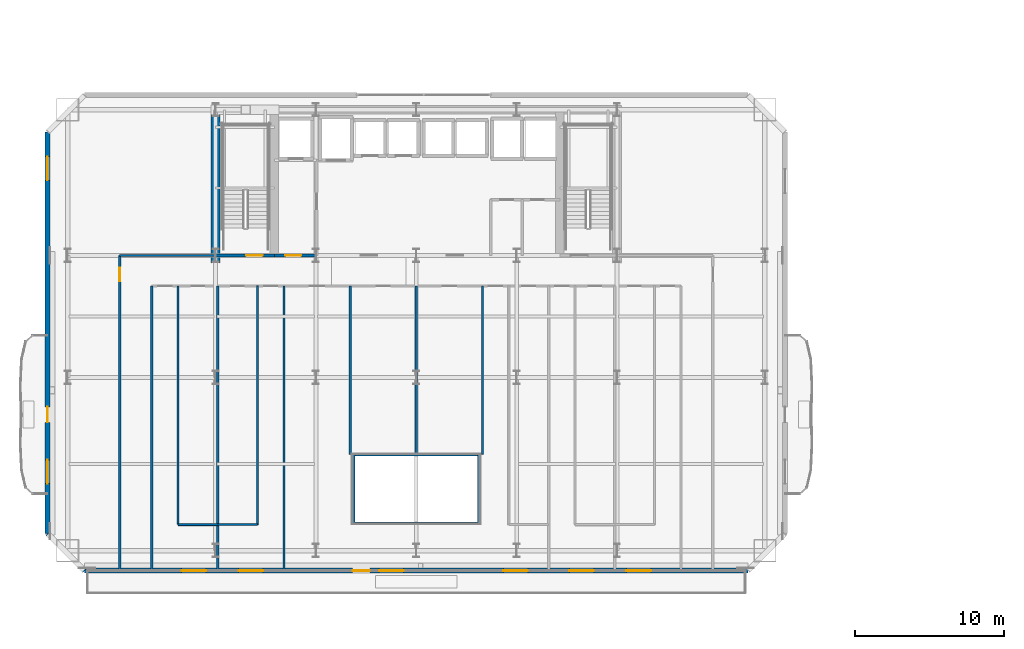
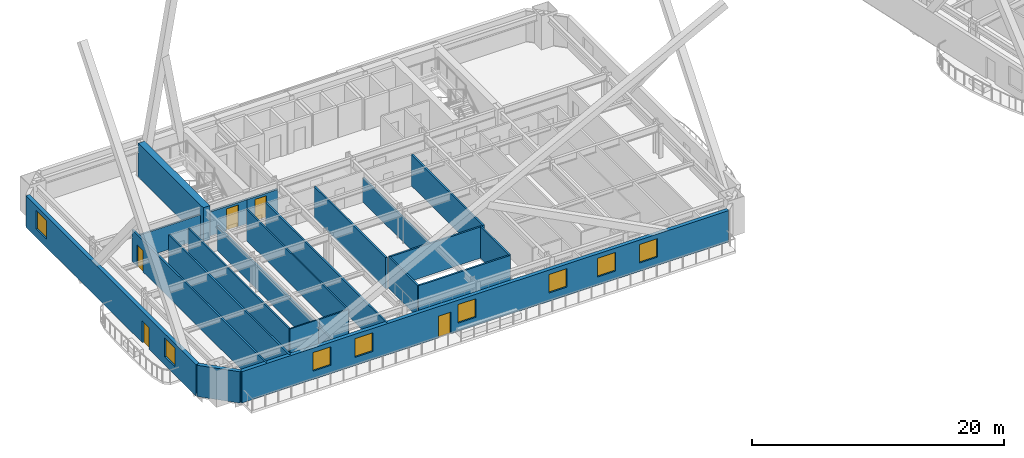
# One storey, part 10 of 22: 22 walls, 8 windows, 5 doors, 13 openings.
"""IFC4 building model written with IfcOpenShell, lengths in metres."""

from ifc_helpers import new_model, si_unit, direction, frame, frame_2d, origin, place, context, subcontext, project, spatial, rectangle, extrude, material, layer, layer_set, type_object, element, fill, save


model = new_model("IFC4")

# Units and contexts
model_context = context("Model", 3, precision=1e-05, world=origin(), true_north=direction((0.0, 1.0)))
body_context = subcontext(model_context, "Body", "Model", "MODEL_VIEW")
ifc_project = project(units=[si_unit("LENGTHUNIT", "METRE"), si_unit("AREAUNIT", "SQUARE_METRE"), si_unit("VOLUMEUNIT", "CUBIC_METRE"), si_unit("PLANEANGLEUNIT", "RADIAN"), si_unit("MASSUNIT", "GRAM", prefix="KILO")], contexts=[model_context])

# Site, building, storey
site_placement = place(None, origin())
site = spatial("IfcSite", under=ifc_project, at=site_placement, CompositionType="ELEMENT")
building_placement = place(site_placement, origin())
building = spatial("IfcBuilding", under=site, at=building_placement, Name="Haevon Station Towers", CompositionType="ELEMENT")
storey_placement = place(building_placement, frame((0.0, 0.0, 70.199951171875)))
storey = spatial("IfcBuildingStorey", under=building, at=storey_placement, Name="L18", CompositionType="ELEMENT", Elevation=70.199951171875)

# Wall, opening, door
ifc_material_1 = material(Name="Gypsum board on steel stud", Category="steel")
ifc_layer_1 = layer(ifc_material_1, 0.199951171875)
ifc_layer_set_1 = layer_set([ifc_layer_1], Name="Gypsum board on steel stud")
wall_type_1 = type_object("IfcWallType", Name="WL-COR200", PredefinedType="PARTITIONING", material=ifc_layer_set_1)
wall_1_placement = place(storey_placement, frame((24.0, 38.199951171875, 0.0), z_axis=(0.0, 0.0, 1.0), x_axis=(1.0, 0.0, 0.0)))
wall_1 = element("IfcWall", 1, at=wall_1_placement, inside=storey, type_object=wall_type_1, Name="WL-ST-ST1-L18", PredefinedType="PARTITIONING", context=body_context, shape_type="SweptSolid", body=[
    extrude(rectangle(XDim=3.949951171875, YDim=0.199951171875, at=frame_2d((1.97509765625, 0.0))), origin(), (0.0, 0.0, 1.0), 2.330078125),
])
opening_1_placement = place(wall_1_placement, frame((2.050048828125, 0.0, 0.0)))
opening_1 = element("IfcOpeningElement", 2, at=opening_1_placement, cuts=wall_1, Name="Opening DR-ST-ST1-L18", PredefinedType="OPENING", context=body_context, shape_type="SweptSolid", body=[
    extrude(rectangle(XDim=1.1201171875, YDim=2.10009765625, at=frame_2d((0.56005859375, 1.050048828125))), frame((0.0, 0.10986328125, 0.0), z_axis=(0.0, -1.0, 0.0), x_axis=(1.0, 0.0, 0.0)), (0.0, 0.0, 1.0), 0.219970703125),
])
ifc_material_2 = material(Name="Engineered oak timber", Category="wood")
door_type_1 = type_object("IfcDoorType", Name="DR-ST-1120", OperationType="NOTDEFINED", PredefinedType="DOOR", material=ifc_material_2)
door_1_placement = place(opening_1_placement, origin())
door_1 = element("IfcDoor", 3, at=door_1_placement, inside=storey, type_object=door_type_1, Name="L18 Escape Stair ST1 Fire Door", OperationType="SINGLE_SWING_RIGHT", OverallHeight=2.10009765625, OverallWidth=1.1201171875, PredefinedType="DOOR", context=body_context, shape_type="SweptSolid", body=[
    extrude(rectangle(XDim=1.1201171875, YDim=2.10009765625, at=frame_2d((0.56005859375, 1.050048828125))), frame((0.0, 0.02490234375, 0.0), z_axis=(0.0, -1.0, 0.0), x_axis=(1.0, 0.0, 0.0)), (0.0, 0.0, 1.0), 0.050048828125),
])
fill(opening_1, door_1)

wall_2_placement = place(storey_placement, frame((27.949951171875, 38.199951171875, 0.0), z_axis=(0.0, 0.0, 1.0), x_axis=(1.0, 0.0, 0.0)))
wall_2 = element("IfcWall", 4, at=wall_2_placement, inside=storey, type_object=wall_type_1, Name="WL-T1FFL-L18-S", PredefinedType="PARTITIONING", context=body_context, shape_type="SweptSolid", body=[
    extrude(rectangle(XDim=2.85009765625, YDim=0.199951171875, at=frame_2d((1.425048828125, 0.0))), origin(), (0.0, 0.0, 1.0), 2.330078125),
])
opening_2_placement = place(wall_2_placement, frame((0.75, 0.0, 0.0)))
opening_2 = element("IfcOpeningElement", 5, at=opening_2_placement, cuts=wall_2, Name="Opening DR-T1FFL-L18-S", PredefinedType="OPENING", context=body_context, shape_type="SweptSolid", body=[
    extrude(rectangle(XDim=1.050048828125, YDim=2.10009765625, at=frame_2d((0.52490234375, 1.050048828125))), frame((0.0, 0.10986328125, 0.0), z_axis=(0.0, -1.0, 0.0), x_axis=(1.0, 0.0, 0.0)), (0.0, 0.0, 1.0), 0.219970703125),
])
door_type_2 = type_object("IfcDoorType", Name="DR-FD60-1050", OperationType="NOTDEFINED", PredefinedType="DOOR", material=ifc_material_2)
door_2_placement = place(opening_2_placement, origin())
door_2 = element("IfcDoor", 6, at=door_2_placement, inside=storey, type_object=door_type_2, Name="L18 Tower 1 Firefighting Lift Lobby Door S", OperationType="SINGLE_SWING_LEFT", OverallHeight=2.10009765625, OverallWidth=1.050048828125, PredefinedType="DOOR", context=body_context, shape_type="SweptSolid", body=[
    extrude(rectangle(XDim=1.050048828125, YDim=2.10009765625, at=frame_2d((0.52490234375, 1.050048828125))), frame((0.0, 0.02490234375, 0.0), z_axis=(0.0, -1.0, 0.0), x_axis=(1.0, 0.0, 0.0)), (0.0, 0.0, 1.0), 0.050048828125),
])
fill(opening_2, door_2)

# Wall
ifc_material_3 = material(Name="Concrete C60/75", Category="concrete")
ifc_layer_2 = layer(ifc_material_3, 0.60009765625)
ifc_layer_set_2 = layer_set([ifc_layer_2], Name="Concrete C60/75")
wall_type_2 = type_object("IfcWallType", Name="WL-CR600", PredefinedType="SHEAR", material=ifc_layer_set_2)
wall_3_placement = place(storey_placement, frame((24.0, 37.679931640625, 0.0), z_axis=(0.0, 0.0, 1.0), x_axis=(0.0, 1.0, 0.0)))
element("IfcWall", 7, at=wall_3_placement, inside=storey, type_object=wall_type_2, Name="WL-T1CR-L18-W", PredefinedType="SHEAR", context=body_context, shape_type="SweptSolid", body=[
    extrude(rectangle(XDim=10.320068359375, YDim=0.60009765625, at=frame_2d((5.16015625, 0.0))), origin(), (0.0, 0.0, 1.0), 3.300048828125),
])

# Wall, openings, door, windows
ifc_material_4 = material(Name="Precast concrete C45/55", Category="concrete")
ifc_layer_3 = layer(ifc_material_4, 0.340087890625)
ifc_layer_set_3 = layer_set([ifc_layer_3], Name="Precast concrete C45/55")
wall_type_3 = type_object("IfcWallType", Name="WL-EXT-PIER340", PredefinedType="SOLIDWALL", material=ifc_layer_set_3)
wall_4_placement = place(storey_placement, frame((59.800048828125, 17.0, 0.0), z_axis=(0.0, 0.0, 1.0), x_axis=(-1.0, 0.0, 0.0)))
wall_4 = element("IfcWall", 8, at=wall_4_placement, inside=storey, type_object=wall_type_3, Name="WL-T1-L18-S", PredefinedType="SOLIDWALL", context=body_context, shape_type="SweptSolid", body=[
    extrude(rectangle(XDim=44.60009765625, YDim=0.340087890625, at=frame_2d((22.300048828125, 0.0))), origin(), (0.0, 0.0, 1.0), 3.030029296875),
])
opening_3_placement = place(wall_4_placement, frame((25.425048828125, 0.0, 0.0)))
opening_3 = element("IfcOpeningElement", 9, at=opening_3_placement, cuts=wall_4, Name="Opening DR-T1-SKYG-L18", PredefinedType="OPENING", context=body_context, shape_type="SweptSolid", body=[
    extrude(rectangle(XDim=1.14990234375, YDim=2.10009765625, at=frame_2d((0.574951171875, 1.050048828125))), frame((0.0, 0.179931640625, 0.0), z_axis=(0.0, -1.0, 0.0), x_axis=(1.0, 0.0, 0.0)), (0.0, 0.0, 1.0), 0.360107421875),
])
opening_4_placement = place(wall_4_placement, frame((36.43798828125, 0.0, 0.800048828125)))
opening_4 = element("IfcOpeningElement", 10, at=opening_4_placement, cuts=wall_4, Name="Opening WN-P165", PredefinedType="OPENING", context=body_context, shape_type="SweptSolid", body=[
    extrude(rectangle(XDim=1.64990234375, YDim=1.800048828125, at=frame_2d((0.824951171875, 0.89990234375))), frame((0.0, 0.179931640625, 0.0), z_axis=(0.0, -1.0, 0.0), x_axis=(1.0, 0.0, 0.0)), (0.0, 0.0, 1.0), 0.360107421875),
])
opening_5_placement = place(wall_4_placement, frame((32.60009765625, 0.0, 0.800048828125)))
opening_5 = element("IfcOpeningElement", 11, at=opening_5_placement, cuts=wall_4, Name="Opening WN-P165", PredefinedType="OPENING", context=body_context, shape_type="SweptSolid", body=[
    extrude(rectangle(XDim=1.64990234375, YDim=1.800048828125, at=frame_2d((0.824951171875, 0.89990234375))), frame((0.0, 0.179931640625, 0.0), z_axis=(0.0, -1.0, 0.0), x_axis=(1.0, 0.0, 0.0)), (0.0, 0.0, 1.0), 0.360107421875),
])
opening_6_placement = place(wall_4_placement, frame((23.153076171875, 0.0, 0.800048828125)))
opening_6 = element("IfcOpeningElement", 12, at=opening_6_placement, cuts=wall_4, Name="Opening WN-P165", PredefinedType="OPENING", context=body_context, shape_type="SweptSolid", body=[
    extrude(rectangle(XDim=1.64990234375, YDim=1.800048828125, at=frame_2d((0.824951171875, 0.89990234375))), frame((0.0, 0.179931640625, 0.0), z_axis=(0.0, -1.0, 0.0), x_axis=(1.0, 0.0, 0.0)), (0.0, 0.0, 1.0), 0.360107421875),
])
opening_7_placement = place(wall_4_placement, frame((14.800048828125, 0.0, 0.800048828125)))
opening_7 = element("IfcOpeningElement", 13, at=opening_7_placement, cuts=wall_4, Name="Opening WN-P165", PredefinedType="OPENING", context=body_context, shape_type="SweptSolid", body=[
    extrude(rectangle(XDim=1.64990234375, YDim=1.800048828125, at=frame_2d((0.824951171875, 0.89990234375))), frame((0.0, 0.179931640625, 0.0), z_axis=(0.0, -1.0, 0.0), x_axis=(1.0, 0.0, 0.0)), (0.0, 0.0, 1.0), 0.360107421875),
])
opening_8_placement = place(wall_4_placement, frame((10.35009765625, 0.0, 0.800048828125)))
opening_8 = element("IfcOpeningElement", 14, at=opening_8_placement, cuts=wall_4, Name="Opening WN-P165", PredefinedType="OPENING", context=body_context, shape_type="SweptSolid", body=[
    extrude(rectangle(XDim=1.64990234375, YDim=1.800048828125, at=frame_2d((0.824951171875, 0.89990234375))), frame((0.0, 0.179931640625, 0.0), z_axis=(0.0, -1.0, 0.0), x_axis=(1.0, 0.0, 0.0)), (0.0, 0.0, 1.0), 0.360107421875),
])
opening_9_placement = place(wall_4_placement, frame((6.511962890625, 0.0, 0.800048828125)))
opening_9 = element("IfcOpeningElement", 15, at=opening_9_placement, cuts=wall_4, Name="Opening WN-P165", PredefinedType="OPENING", context=body_context, shape_type="SweptSolid", body=[
    extrude(rectangle(XDim=1.64990234375, YDim=1.800048828125, at=frame_2d((0.824951171875, 0.89990234375))), frame((0.0, 0.179931640625, 0.0), z_axis=(0.0, -1.0, 0.0), x_axis=(1.0, 0.0, 0.0)), (0.0, 0.0, 1.0), 0.360107421875),
])
ifc_material_5 = material(Name="Thermally broken anodised aluminium and laminated safety glass", Category="aluminium")
door_type_3 = type_object("IfcDoorType", Name="DR-BALC-1150", OperationType="NOTDEFINED", PredefinedType="DOOR", material=ifc_material_5)
door_3_placement = place(opening_3_placement, origin())
door_3 = element("IfcDoor", 16, at=door_3_placement, inside=storey, type_object=door_type_3, Name="Tower 1 L18 Sky Garden Terrace Door", OperationType="SINGLE_SWING_LEFT", OverallHeight=2.10009765625, OverallWidth=1.14990234375, PredefinedType="DOOR", context=body_context, shape_type="SweptSolid", body=[
    extrude(rectangle(XDim=1.14990234375, YDim=2.10009765625, at=frame_2d((0.574951171875, 1.050048828125))), frame((0.0, 0.02490234375, 0.0), z_axis=(0.0, -1.0, 0.0), x_axis=(1.0, 0.0, 0.0)), (0.0, 0.0, 1.0), 0.050048828125),
])
fill(opening_3, door_3)
ifc_material_6 = material(Name="Low-E triple glazing in thermally broken aluminium", Category="aluminium")
window_type_1 = type_object("IfcWindowType", Name="WN-P165", PartitioningType="SINGLE_PANEL", PredefinedType="WINDOW", material=ifc_material_6)
window_1_placement = place(opening_4_placement, origin())
window_1 = element("IfcWindow", 17, at=window_1_placement, inside=storey, type_object=window_type_1, Name="WN-T1-L18-S01", OverallHeight=1.800048828125, OverallWidth=1.64990234375, PartitioningType="SINGLE_PANEL", PredefinedType="WINDOW", context=body_context, shape_type="SweptSolid", body=[
    extrude(rectangle(XDim=1.64990234375, YDim=1.800048828125, at=frame_2d((0.824951171875, 0.89990234375))), frame((0.0, 0.030029296875, 0.0), z_axis=(0.0, -1.0, 0.0), x_axis=(1.0, 0.0, 0.0)), (0.0, 0.0, 1.0), 0.06005859375),
])
fill(opening_4, window_1)
window_2_placement = place(opening_5_placement, origin())
window_2 = element("IfcWindow", 18, at=window_2_placement, inside=storey, type_object=window_type_1, Name="WN-T1-L18-S02", OverallHeight=1.800048828125, OverallWidth=1.64990234375, PartitioningType="SINGLE_PANEL", PredefinedType="WINDOW", context=body_context, shape_type="SweptSolid", body=[
    extrude(rectangle(XDim=1.64990234375, YDim=1.800048828125, at=frame_2d((0.824951171875, 0.89990234375))), frame((0.0, 0.030029296875, 0.0), z_axis=(0.0, -1.0, 0.0), x_axis=(1.0, 0.0, 0.0)), (0.0, 0.0, 1.0), 0.06005859375),
])
fill(opening_5, window_2)
window_3_placement = place(opening_6_placement, origin())
window_3 = element("IfcWindow", 19, at=window_3_placement, inside=storey, type_object=window_type_1, Name="WN-T1-L18-S03", OverallHeight=1.800048828125, OverallWidth=1.64990234375, PartitioningType="SINGLE_PANEL", PredefinedType="WINDOW", context=body_context, shape_type="SweptSolid", body=[
    extrude(rectangle(XDim=1.64990234375, YDim=1.800048828125, at=frame_2d((0.824951171875, 0.89990234375))), frame((0.0, 0.030029296875, 0.0), z_axis=(0.0, -1.0, 0.0), x_axis=(1.0, 0.0, 0.0)), (0.0, 0.0, 1.0), 0.06005859375),
])
fill(opening_6, window_3)
window_4_placement = place(opening_7_placement, origin())
window_4 = element("IfcWindow", 20, at=window_4_placement, inside=storey, type_object=window_type_1, Name="WN-T1-L18-S04", OverallHeight=1.800048828125, OverallWidth=1.64990234375, PartitioningType="SINGLE_PANEL", PredefinedType="WINDOW", context=body_context, shape_type="SweptSolid", body=[
    extrude(rectangle(XDim=1.64990234375, YDim=1.800048828125, at=frame_2d((0.824951171875, 0.89990234375))), frame((0.0, 0.030029296875, 0.0), z_axis=(0.0, -1.0, 0.0), x_axis=(1.0, 0.0, 0.0)), (0.0, 0.0, 1.0), 0.06005859375),
])
fill(opening_7, window_4)
window_5_placement = place(opening_8_placement, origin())
window_5 = element("IfcWindow", 21, at=window_5_placement, inside=storey, type_object=window_type_1, Name="WN-T1-L18-S05", OverallHeight=1.800048828125, OverallWidth=1.64990234375, PartitioningType="SINGLE_PANEL", PredefinedType="WINDOW", context=body_context, shape_type="SweptSolid", body=[
    extrude(rectangle(XDim=1.64990234375, YDim=1.800048828125, at=frame_2d((0.824951171875, 0.89990234375))), frame((0.0, 0.030029296875, 0.0), z_axis=(0.0, -1.0, 0.0), x_axis=(1.0, 0.0, 0.0)), (0.0, 0.0, 1.0), 0.06005859375),
])
fill(opening_8, window_5)
window_6_placement = place(opening_9_placement, origin())
window_6 = element("IfcWindow", 22, at=window_6_placement, inside=storey, type_object=window_type_1, Name="WN-T1-L18-S06", OverallHeight=1.800048828125, OverallWidth=1.64990234375, PartitioningType="SINGLE_PANEL", PredefinedType="WINDOW", context=body_context, shape_type="SweptSolid", body=[
    extrude(rectangle(XDim=1.64990234375, YDim=1.800048828125, at=frame_2d((0.824951171875, 0.89990234375))), frame((0.0, 0.030029296875, 0.0), z_axis=(0.0, -1.0, 0.0), x_axis=(1.0, 0.0, 0.0)), (0.0, 0.0, 1.0), 0.06005859375),
])
fill(opening_9, window_6)

# Wall
wall_5_placement = place(storey_placement, frame((15.199951171875, 17.0, 0.0), z_axis=(0.0, 0.0, 1.0), x_axis=(-0.707106781187, 0.707106781187, 0.0)))
element("IfcWall", 23, at=wall_5_placement, inside=storey, type_object=wall_type_3, Name="WL-T1-L18-SWC", PredefinedType="SOLIDWALL", context=body_context, shape_type="SweptSolid", body=[
    extrude(rectangle(XDim=3.53564453125, YDim=0.340087890625, at=frame_2d((1.767822265625, 0.0))), origin(), (0.0, 0.0, 1.0), 3.030029296875),
])

# Wall, openings, door, windows
wall_6_placement = place(storey_placement, frame((12.699951171875, 19.5, 0.0), z_axis=(0.0, 0.0, 1.0), x_axis=(0.0, 1.0, 0.0)))
wall_6 = element("IfcWall", 24, at=wall_6_placement, inside=storey, type_object=wall_type_3, Name="WL-T1-L18-W", PredefinedType="SOLIDWALL", context=body_context, shape_type="SweptSolid", body=[
    extrude(rectangle(XDim=27.0, YDim=0.340087890625, at=frame_2d((13.5, 0.0))), origin(), (0.0, 0.0, 1.0), 3.030029296875),
])
opening_10_placement = place(wall_6_placement, frame((7.47509765625, 0.0, 0.0)))
opening_10 = element("IfcOpeningElement", 25, at=opening_10_placement, cuts=wall_6, Name="Opening DR-T1-SCAL-L18-W", PredefinedType="OPENING", context=body_context, shape_type="SweptSolid", body=[
    extrude(rectangle(XDim=1.050048828125, YDim=2.10009765625, at=frame_2d((0.52490234375, 1.050048828125))), frame((0.0, 0.179931640625, 0.0), z_axis=(0.0, -1.0, 0.0), x_axis=(1.0, 0.0, 0.0)), (0.0, 0.0, 1.0), 0.360107421875),
])
opening_11_placement = place(wall_6_placement, frame((3.35009765625, 0.0, 0.800048828125)))
opening_11 = element("IfcOpeningElement", 26, at=opening_11_placement, cuts=wall_6, Name="Opening WN-END160", PredefinedType="OPENING", context=body_context, shape_type="SweptSolid", body=[
    extrude(rectangle(XDim=1.60009765625, YDim=1.800048828125, at=frame_2d((0.800048828125, 0.89990234375))), frame((0.0, 0.179931640625, 0.0), z_axis=(0.0, -1.0, 0.0), x_axis=(1.0, 0.0, 0.0)), (0.0, 0.0, 1.0), 0.360107421875),
])
opening_12_placement = place(wall_6_placement, frame((23.75, 0.0, 0.800048828125)))
opening_12 = element("IfcOpeningElement", 27, at=opening_12_placement, cuts=wall_6, Name="Opening WN-END160", PredefinedType="OPENING", context=body_context, shape_type="SweptSolid", body=[
    extrude(rectangle(XDim=1.60009765625, YDim=1.800048828125, at=frame_2d((0.800048828125, 0.89990234375))), frame((0.0, 0.179931640625, 0.0), z_axis=(0.0, -1.0, 0.0), x_axis=(1.0, 0.0, 0.0)), (0.0, 0.0, 1.0), 0.360107421875),
])
door_type_4 = type_object("IfcDoorType", Name="DR-BALC-1050", OperationType="NOTDEFINED", PredefinedType="DOOR", material=ifc_material_5)
door_4_placement = place(opening_10_placement, origin())
door_4 = element("IfcDoor", 28, at=door_4_placement, inside=storey, type_object=door_type_4, Name="Tower 1 L18 West Scalloped Balcony Door", OperationType="SINGLE_SWING_RIGHT", OverallHeight=2.10009765625, OverallWidth=1.050048828125, PredefinedType="DOOR", context=body_context, shape_type="SweptSolid", body=[
    extrude(rectangle(XDim=1.050048828125, YDim=2.10009765625, at=frame_2d((0.52490234375, 1.050048828125))), frame((0.0, 0.02490234375, 0.0), z_axis=(0.0, -1.0, 0.0), x_axis=(1.0, 0.0, 0.0)), (0.0, 0.0, 1.0), 0.050048828125),
])
fill(opening_10, door_4)
window_type_2 = type_object("IfcWindowType", Name="WN-END160", PartitioningType="SINGLE_PANEL", PredefinedType="WINDOW", material=ifc_material_6)
window_7_placement = place(opening_11_placement, origin())
window_7 = element("IfcWindow", 29, at=window_7_placement, inside=storey, type_object=window_type_2, Name="WN-T1-L18-W01", OverallHeight=1.800048828125, OverallWidth=1.60009765625, PartitioningType="SINGLE_PANEL", PredefinedType="WINDOW", context=body_context, shape_type="SweptSolid", body=[
    extrude(rectangle(XDim=1.60009765625, YDim=1.800048828125, at=frame_2d((0.800048828125, 0.89990234375))), frame((0.0, 0.030029296875, 0.0), z_axis=(0.0, -1.0, 0.0), x_axis=(1.0, 0.0, 0.0)), (0.0, 0.0, 1.0), 0.06005859375),
])
fill(opening_11, window_7)
window_8_placement = place(opening_12_placement, origin())
window_8 = element("IfcWindow", 30, at=window_8_placement, inside=storey, type_object=window_type_2, Name="WN-T1-L18-W02", OverallHeight=1.800048828125, OverallWidth=1.60009765625, PartitioningType="SINGLE_PANEL", PredefinedType="WINDOW", context=body_context, shape_type="SweptSolid", body=[
    extrude(rectangle(XDim=1.60009765625, YDim=1.800048828125, at=frame_2d((0.800048828125, 0.89990234375))), frame((0.0, 0.030029296875, 0.0), z_axis=(0.0, -1.0, 0.0), x_axis=(1.0, 0.0, 0.0)), (0.0, 0.0, 1.0), 0.06005859375),
])
fill(opening_12, window_8)

# Walls
ifc_layer_4 = layer(ifc_material_1, 0.125)
ifc_layer_set_4 = layer_set([ifc_layer_4], Name="Gypsum board on steel stud")
wall_type_4 = type_object("IfcWallType", Name="WL-PRT125", PredefinedType="PARTITIONING", material=ifc_layer_set_4)
wall_7_placement = place(storey_placement, frame((21.47998046875, 20.10009765625, 0.0), z_axis=(0.0, 0.0, 1.0), x_axis=(1.0, 0.0, 0.0)))
element("IfcWall", 31, at=wall_7_placement, inside=storey, type_object=wall_type_4, Name="WL-T1PT-L18-11", PredefinedType="PARTITIONING", context=body_context, shape_type="SweptSolid", body=[
    extrude(rectangle(XDim=2.669921875, YDim=0.125, at=frame_2d((1.3349609375, 0.0))), origin(), (0.0, 0.0, 1.0), 3.030029296875),
])
wall_8_placement = place(storey_placement, frame((26.820068359375, 20.10009765625, 0.0), z_axis=(0.0, 0.0, 1.0), x_axis=(0.0, 1.0, 0.0)))
element("IfcWall", 32, at=wall_8_placement, inside=storey, type_object=wall_type_4, Name="WL-T1PT-L18-15", PredefinedType="PARTITIONING", context=body_context, shape_type="SweptSolid", body=[
    extrude(rectangle(XDim=16.0498046875, YDim=0.125, at=frame_2d((8.02490234375, 0.0))), origin(), (0.0, 0.0, 1.0), 3.030029296875),
])
ifc_layer_5 = layer(ifc_material_1, 0.139892578125)
ifc_layer_set_5 = layer_set([ifc_layer_5], Name="Gypsum board on steel stud")
wall_type_5 = type_object("IfcWallType", Name="WL-PRT140", PredefinedType="PARTITIONING", material=ifc_layer_set_5)
wall_9_placement = place(storey_placement, frame((21.47998046875, 20.10009765625, 0.0), z_axis=(0.0, 0.0, 1.0), x_axis=(0.0, 1.0, 0.0)))
element("IfcWall", 33, at=wall_9_placement, inside=storey, type_object=wall_type_5, Name="WL-T1PT-L18-12", PredefinedType="PARTITIONING", context=body_context, shape_type="SweptSolid", body=[
    extrude(rectangle(XDim=16.0498046875, YDim=0.139892578125, at=frame_2d((8.02490234375, 0.0))), origin(), (0.0, 0.0, 1.0), 3.030029296875),
])
wall_10_placement = place(storey_placement, frame((24.14990234375, 20.10009765625, 0.0), z_axis=(0.0, 0.0, 1.0), x_axis=(1.0, 0.0, 0.0)))
element("IfcWall", 34, at=wall_10_placement, inside=storey, type_object=wall_type_5, Name="WL-T1PT-L18-14", PredefinedType="PARTITIONING", context=body_context, shape_type="SweptSolid", body=[
    extrude(rectangle(XDim=2.670166015625, YDim=0.139892578125, at=frame_2d((1.3349609375, 0.0))), origin(), (0.0, 0.0, 1.0), 3.030029296875),
])
ifc_layer_6 = layer(ifc_material_1, 0.159912109375)
ifc_layer_set_6 = layer_set([ifc_layer_6], Name="Gypsum board on steel stud")
wall_type_6 = type_object("IfcWallType", Name="WL-PRT160", PredefinedType="PARTITIONING", material=ifc_layer_set_6)
wall_11_placement = place(storey_placement, frame((19.699951171875, 17.0, 0.0), z_axis=(0.0, 0.0, 1.0), x_axis=(0.0, 1.0, 0.0)))
element("IfcWall", 35, at=wall_11_placement, inside=storey, type_object=wall_type_6, Name="WL-T1PT-L18-01", PredefinedType="PARTITIONING", context=body_context, shape_type="SweptSolid", body=[
    extrude(rectangle(XDim=19.14990234375, YDim=0.159912109375, at=frame_2d((9.574951171875, 0.0))), origin(), (0.0, 0.0, 1.0), 3.030029296875),
])
wall_12_placement = place(storey_placement, frame((17.550048828125, 38.199951171875, 0.0), z_axis=(0.0, 0.0, 1.0), x_axis=(1.0, 0.0, 0.0)))
element("IfcWall", 36, at=wall_12_placement, inside=storey, type_object=wall_type_6, Name="WL-T1PT-L18-03", PredefinedType="PARTITIONING", context=body_context, shape_type="SweptSolid", body=[
    extrude(rectangle(XDim=6.449951171875, YDim=0.159912109375, at=frame_2d((3.22509765625, 0.0))), origin(), (0.0, 0.0, 1.0), 2.330078125),
])

# Wall, opening, door
wall_13_placement = place(storey_placement, frame((17.550048828125, 17.0, 0.0), z_axis=(0.0, 0.0, 1.0), x_axis=(0.0, 1.0, 0.0)))
wall_13 = element("IfcWall", 37, at=wall_13_placement, inside=storey, type_object=wall_type_6, Name="WL-T1PT-L18-05", PredefinedType="PARTITIONING", context=body_context, shape_type="SweptSolid", body=[
    extrude(rectangle(XDim=21.199951171875, YDim=0.159912109375, at=frame_2d((10.60009765625, 0.0))), origin(), (0.0, 0.0, 1.0), 3.030029296875),
])
opening_13_placement = place(wall_13_placement, frame((19.469970703125, 0.0, 0.0)))
opening_13 = element("IfcOpeningElement", 38, at=opening_13_placement, cuts=wall_13, Name="Opening DR-WL-T1PT-L18-05-01", PredefinedType="OPENING", context=body_context, shape_type="SweptSolid", body=[
    extrude(rectangle(XDim=0.89990234375, YDim=2.050048828125, at=frame_2d((0.449951171875, 1.02490234375))), frame((0.0, 0.08984375, 0.0), z_axis=(0.0, -1.0, 0.0), x_axis=(1.0, 0.0, 0.0)), (0.0, 0.0, 1.0), 0.179931640625),
])
door_type_5 = type_object("IfcDoorType", Name="DR-INT-900", OperationType="NOTDEFINED", PredefinedType="DOOR", material=ifc_material_2)
door_5_placement = place(opening_13_placement, origin())
door_5 = element("IfcDoor", 39, at=door_5_placement, inside=storey, type_object=door_type_5, Name="L18 Tower 1 Room Door 5-1", OperationType="SINGLE_SWING_RIGHT", OverallHeight=2.050048828125, OverallWidth=0.89990234375, PredefinedType="DOOR", context=body_context, shape_type="SweptSolid", body=[
    extrude(rectangle(XDim=0.89990234375, YDim=2.050048828125, at=frame_2d((0.449951171875, 1.02490234375))), frame((0.0, 0.02490234375, 0.0), z_axis=(0.0, -1.0, 0.0), x_axis=(1.0, 0.0, 0.0)), (0.0, 0.0, 1.0), 0.050048828125),
])
fill(opening_13, door_5)

# Walls
for number, where, z_axis, x_axis, name in (
    (40, (33.300048828125, 20.199951171875, 0.0), (0.0, 0.0, 1.0), (1.0, 0.0, 0.0), "WL-T1PT-L18-07"),
    (41, (33.300048828125, 24.800048828125, 0.0), (0.0, 0.0, 1.0), (1.0, 0.0, 0.0), "WL-T1PT-L18-08"),
):
    element("IfcWall", number, at=place(storey_placement, frame(where, z_axis=z_axis, x_axis=x_axis)), inside=storey, type_object=wall_type_6, Name=name, PredefinedType="PARTITIONING", context=body_context, shape_type="SweptSolid", body=[
        extrude(rectangle(XDim=8.39990234375, YDim=0.159912109375, at=frame_2d((4.199951171875, 0.0))), origin(), (0.0, 0.0, 1.0), 3.030029296875),
    ])
for number, where, z_axis, x_axis, name in (
    (42, (33.300048828125, 20.199951171875, 0.0), (0.0, 0.0, 1.0), (0.0, 1.0, 0.0), "WL-T1PT-L18-09"),
    (43, (41.699951171875, 20.199951171875, 0.0), (0.0, 0.0, 1.0), (0.0, 1.0, 0.0), "WL-T1PT-L18-10"),
):
    element("IfcWall", number, at=place(storey_placement, frame(where, z_axis=z_axis, x_axis=x_axis)), inside=storey, type_object=wall_type_6, Name=name, PredefinedType="PARTITIONING", context=body_context, shape_type="SweptSolid", body=[
        extrude(rectangle(XDim=4.60009765625, YDim=0.159912109375, at=frame_2d((2.300048828125, 0.0))), origin(), (0.0, 0.0, 1.0), 3.030029296875),
    ])
wall_14_placement = place(storey_placement, frame((24.14990234375, 17.0, 0.0), z_axis=(0.0, 0.0, 1.0), x_axis=(0.0, 1.0, 0.0)))
element("IfcWall", 44, at=wall_14_placement, inside=storey, type_object=wall_type_6, Name="WL-T1PT-L18-13", PredefinedType="PARTITIONING", context=body_context, shape_type="SweptSolid", body=[
    extrude(rectangle(XDim=19.14990234375, YDim=0.159912109375, at=frame_2d((9.574951171875, 0.0))), origin(), (0.0, 0.0, 1.0), 2.330078125),
])
wall_15_placement = place(storey_placement, frame((28.60009765625, 17.0, 0.0), z_axis=(0.0, 0.0, 1.0), x_axis=(0.0, 1.0, 0.0)))
element("IfcWall", 45, at=wall_15_placement, inside=storey, type_object=wall_type_6, Name="WL-T1PT-L18-16", PredefinedType="PARTITIONING", context=body_context, shape_type="SweptSolid", body=[
    extrude(rectangle(XDim=19.14990234375, YDim=0.159912109375, at=frame_2d((9.574951171875, 0.0))), origin(), (0.0, 0.0, 1.0), 3.030029296875),
])
wall_16_placement = place(storey_placement, frame((33.050048828125, 24.800048828125, 0.0), z_axis=(0.0, 0.0, 1.0), x_axis=(0.0, 1.0, 0.0)))
element("IfcWall", 46, at=wall_16_placement, inside=storey, type_object=wall_type_6, Name="WL-T1PT-L18-17", PredefinedType="PARTITIONING", context=body_context, shape_type="SweptSolid", body=[
    extrude(rectangle(XDim=11.349853515625, YDim=0.159912109375, at=frame_2d((5.6748046875, 0.0))), origin(), (0.0, 0.0, 1.0), 3.030029296875),
])
wall_17_placement = place(storey_placement, frame((37.5, 24.800048828125, 0.0), z_axis=(0.0, 0.0, 1.0), x_axis=(0.0, 1.0, 0.0)))
element("IfcWall", 47, at=wall_17_placement, inside=storey, type_object=wall_type_6, Name="WL-T1PT-L18-18", PredefinedType="PARTITIONING", context=body_context, shape_type="SweptSolid", body=[
    extrude(rectangle(XDim=11.349853515625, YDim=0.159912109375, at=frame_2d((5.6748046875, 0.0))), origin(), (0.0, 0.0, 1.0), 2.330078125),
])
wall_18_placement = place(storey_placement, frame((41.949951171875, 24.800048828125, 0.0), z_axis=(0.0, 0.0, 1.0), x_axis=(0.0, 1.0, 0.0)))
element("IfcWall", 48, at=wall_18_placement, inside=storey, type_object=wall_type_6, Name="WL-T1PT-L18-20", PredefinedType="PARTITIONING", context=body_context, shape_type="SweptSolid", body=[
    extrude(rectangle(XDim=11.349853515625, YDim=0.159912109375, at=frame_2d((5.6748046875, 0.0))), origin(), (0.0, 0.0, 1.0), 3.030029296875),
])

save(model, "model.ifc")
